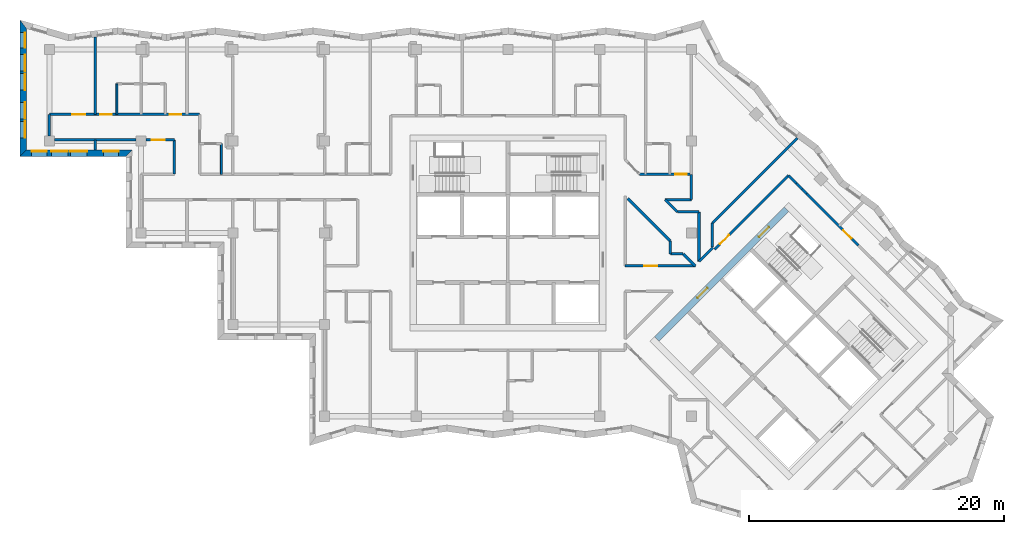
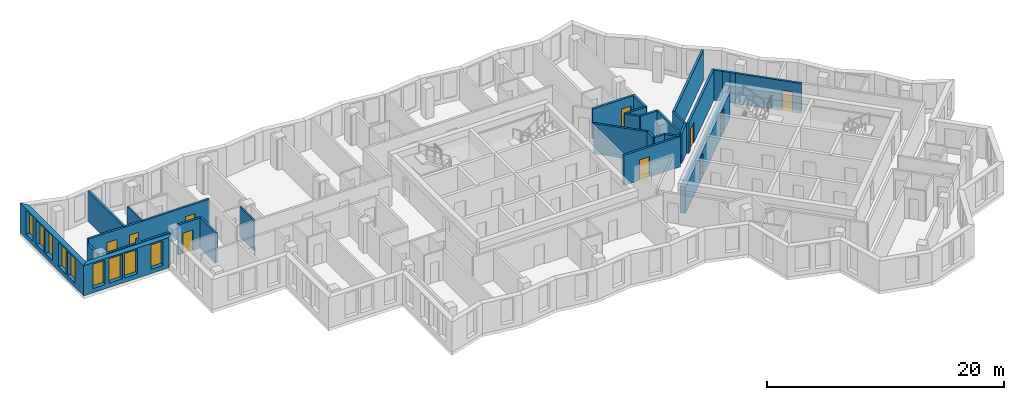
# One storey, part 5 of 12: 31 walls, 10 doors, 9 windows, 19 openings.
"""IFC4 building model written with IfcOpenShell, lengths in metres."""

from ifc_helpers import new_model, si_unit, direction, frame, frame_2d, origin, place, context, subcontext, project, spatial, polyline, rectangle, outline, extrude, material, layer, layer_set, type_object, element, fill, save


model = new_model("IFC4")

# Units and contexts
model_context = context("Model", 3, precision=1e-05, world=origin(), true_north=direction((0.0, 1.0)))
body_context = subcontext(model_context, "Body", "Model", "MODEL_VIEW")
ifc_project = project(units=[si_unit("LENGTHUNIT", "METRE"), si_unit("AREAUNIT", "SQUARE_METRE"), si_unit("VOLUMEUNIT", "CUBIC_METRE"), si_unit("PLANEANGLEUNIT", "RADIAN"), si_unit("MASSUNIT", "GRAM", prefix="KILO")], contexts=[model_context])

# Site, building, storey
site_placement = place(None, origin())
site = spatial("IfcSite", under=ifc_project, at=site_placement, CompositionType="ELEMENT")
building_placement = place(site_placement, origin())
building = spatial("IfcBuilding", under=site, at=building_placement, Name="Windrow Commons", CompositionType="ELEMENT")
storey_placement = place(building_placement, frame((0.0, 0.0, 213.4)))
storey = spatial("IfcBuildingStorey", under=building, at=storey_placement, Name="L58", CompositionType="ELEMENT", Elevation=213.4)

# Wall, openings, windows
ifc_material_1 = material(Name="Brick masonry, red clay brick", Category="masonry")
ifc_layer_1 = layer(ifc_material_1, 0.5)
ifc_layer_set_1 = layer_set([ifc_layer_1], Name="Brick facade wall 500")
wall_type_1 = type_object("IfcWallType", Name="Brick facade wall 500", PredefinedType="SOLIDWALL", material=ifc_layer_set_1)
wall_1_placement = place(storey_placement, frame((26.738, 73.9792, 0.0), z_axis=(0.0, 0.0, 1.0), x_axis=(0.0, -1.0, 0.0)))
wall_1 = element("IfcWall", 1, at=wall_1_placement, inside=storey, type_object=wall_type_1, Name="Brick facade wall L58 31", PredefinedType="SOLIDWALL", context=body_context, shape_type="SweptSolid", body=[
    extrude(outline(polyline([(-0.3328, -0.25), (10.3792, -0.25), (9.8792, 0.25), (0.3328, 0.25), (-0.3328, -0.25)])), origin(), (0.0, 0.0, 1.0), 3.1),
])
opening_1_placement = place(wall_1_placement, frame((2.3792, 0.0, 0.45)))
opening_1 = element("IfcOpeningElement", 2, at=opening_1_placement, cuts=wall_1, Name="Opening W1Q", PredefinedType="OPENING", context=body_context, shape_type="SweptSolid", body=[
    extrude(rectangle(XDim=1.3, YDim=2.5, at=frame_2d((0.65, 1.25))), frame((0.0, 0.26, 0.0), z_axis=(0.0, -1.0, 0.0), x_axis=(1.0, 0.0, 0.0)), (0.0, 0.0, 1.0), 0.52),
])
opening_2_placement = place(wall_1_placement, frame((3.8792, 0.0, 0.45)))
opening_2 = element("IfcOpeningElement", 3, at=opening_2_placement, cuts=wall_1, Name="Opening W1Q", PredefinedType="OPENING", context=body_context, shape_type="SweptSolid", body=[
    extrude(rectangle(XDim=1.3, YDim=2.5, at=frame_2d((0.65, 1.25))), frame((0.0, 0.26, 0.0), z_axis=(0.0, -1.0, 0.0), x_axis=(1.0, 0.0, 0.0)), (0.0, 0.0, 1.0), 0.52),
])
opening_3_placement = place(wall_1_placement, frame((6.1292, 0.0, 0.45)))
opening_3 = element("IfcOpeningElement", 4, at=opening_3_placement, cuts=wall_1, Name="Opening W1Q", PredefinedType="OPENING", context=body_context, shape_type="SweptSolid", body=[
    extrude(rectangle(XDim=1.3, YDim=2.5, at=frame_2d((0.65, 1.25))), frame((0.0, 0.26, 0.0), z_axis=(0.0, -1.0, 0.0), x_axis=(1.0, 0.0, 0.0)), (0.0, 0.0, 1.0), 0.52),
])
opening_4_placement = place(wall_1_placement, frame((7.6292, 0.0, 0.45)))
opening_4 = element("IfcOpeningElement", 5, at=opening_4_placement, cuts=wall_1, Name="Opening W1Q", PredefinedType="OPENING", context=body_context, shape_type="SweptSolid", body=[
    extrude(rectangle(XDim=1.3, YDim=2.5, at=frame_2d((0.65, 1.25))), frame((0.0, 0.26, 0.0), z_axis=(0.0, -1.0, 0.0), x_axis=(1.0, 0.0, 0.0)), (0.0, 0.0, 1.0), 0.52),
])
opening_5_placement = place(wall_1_placement, frame((0.656, 0.0, 0.45)))
opening_5 = element("IfcOpeningElement", 6, at=opening_5_placement, cuts=wall_1, Name="Opening W7E", PredefinedType="OPENING", context=body_context, shape_type="SweptSolid", body=[
    extrude(rectangle(XDim=1.2, YDim=2.5, at=frame_2d((0.6, 1.25))), frame((0.0, 0.26, 0.0), z_axis=(0.0, -1.0, 0.0), x_axis=(1.0, 0.0, 0.0)), (0.0, 0.0, 1.0), 0.52),
])
ifc_material_2 = material(Name="Clear float glass in anodised aluminium frame", Category="aluminium")
window_type_1 = type_object("IfcWindowType", Name="Window W1Q pair 1300x2500", PartitioningType="SINGLE_PANEL", PredefinedType="WINDOW", material=ifc_material_2)
window_1_placement = place(opening_1_placement, origin())
window_1 = element("IfcWindow", 7, at=window_1_placement, inside=storey, type_object=window_type_1, Name="Window L58 31.1A", OverallHeight=2.5, OverallWidth=1.3, PartitioningType="SINGLE_PANEL", PredefinedType="WINDOW", context=body_context, shape_type="SweptSolid", body=[
    extrude(rectangle(XDim=1.3, YDim=2.5, at=frame_2d((0.65, 1.25))), frame((0.0, 0.18, 0.0), z_axis=(0.0, -1.0, 0.0), x_axis=(1.0, 0.0, 0.0)), (0.0, 0.0, 1.0), 0.06),
])
fill(opening_1, window_1)
window_2_placement = place(opening_2_placement, origin())
window_2 = element("IfcWindow", 8, at=window_2_placement, inside=storey, type_object=window_type_1, Name="Window L58 31.1B", OverallHeight=2.5, OverallWidth=1.3, PartitioningType="SINGLE_PANEL", PredefinedType="WINDOW", context=body_context, shape_type="SweptSolid", body=[
    extrude(rectangle(XDim=1.3, YDim=2.5, at=frame_2d((0.65, 1.25))), frame((0.0, 0.18, 0.0), z_axis=(0.0, -1.0, 0.0), x_axis=(1.0, 0.0, 0.0)), (0.0, 0.0, 1.0), 0.06),
])
fill(opening_2, window_2)
window_3_placement = place(opening_3_placement, origin())
window_3 = element("IfcWindow", 9, at=window_3_placement, inside=storey, type_object=window_type_1, Name="Window L58 31.2A", OverallHeight=2.5, OverallWidth=1.3, PartitioningType="SINGLE_PANEL", PredefinedType="WINDOW", context=body_context, shape_type="SweptSolid", body=[
    extrude(rectangle(XDim=1.3, YDim=2.5, at=frame_2d((0.65, 1.25))), frame((0.0, 0.18, 0.0), z_axis=(0.0, -1.0, 0.0), x_axis=(1.0, 0.0, 0.0)), (0.0, 0.0, 1.0), 0.06),
])
fill(opening_3, window_3)
window_4_placement = place(opening_4_placement, origin())
window_4 = element("IfcWindow", 10, at=window_4_placement, inside=storey, type_object=window_type_1, Name="Window L58 31.2B", OverallHeight=2.5, OverallWidth=1.3, PartitioningType="SINGLE_PANEL", PredefinedType="WINDOW", context=body_context, shape_type="SweptSolid", body=[
    extrude(rectangle(XDim=1.3, YDim=2.5, at=frame_2d((0.65, 1.25))), frame((0.0, 0.18, 0.0), z_axis=(0.0, -1.0, 0.0), x_axis=(1.0, 0.0, 0.0)), (0.0, 0.0, 1.0), 0.06),
])
fill(opening_4, window_4)
ifc_material_3 = material(Name="Clear float glass in anodised aluminium frame", Category="aluminium")
window_type_2 = type_object("IfcWindowType", Name="Window W7 notch 1200x2500", PartitioningType="SINGLE_PANEL", PredefinedType="WINDOW", material=ifc_material_3)
window_5_placement = place(opening_5_placement, origin())
window_5 = element("IfcWindow", 11, at=window_5_placement, inside=storey, type_object=window_type_2, Name="Window L58 31.3", OverallHeight=2.5, OverallWidth=1.2, PartitioningType="SINGLE_PANEL", PredefinedType="WINDOW", context=body_context, shape_type="SweptSolid", body=[
    extrude(rectangle(XDim=1.2, YDim=2.5, at=frame_2d((0.6, 1.25))), frame((0.0, 0.18, 0.0), z_axis=(0.0, -1.0, 0.0), x_axis=(1.0, 0.0, 0.0)), (0.0, 0.0, 1.0), 0.06),
])
fill(opening_5, window_5)

wall_2_placement = place(storey_placement, frame((26.738, 63.85, 0.0), z_axis=(0.0, 0.0, 1.0), x_axis=(1.0, 0.0, 0.0)))
wall_2 = element("IfcWall", 12, at=wall_2_placement, inside=storey, type_object=wall_type_1, Name="Brick facade wall L58 32", PredefinedType="SOLIDWALL", context=body_context, shape_type="SweptSolid", body=[
    extrude(outline(polyline([(-0.25, -0.25), (8.062, -0.25), (8.562, 0.25), (0.25, 0.25), (-0.25, -0.25)])), origin(), (0.0, 0.0, 1.0), 3.1),
])
opening_6_placement = place(wall_2_placement, frame((2.212, 0.0, 0.45)))
opening_6 = element("IfcOpeningElement", 13, at=opening_6_placement, cuts=wall_2, Name="Opening W1Q", PredefinedType="OPENING", context=body_context, shape_type="SweptSolid", body=[
    extrude(rectangle(XDim=1.3, YDim=2.5, at=frame_2d((0.65, 1.25))), frame((0.0, 0.26, 0.0), z_axis=(0.0, -1.0, 0.0), x_axis=(1.0, 0.0, 0.0)), (0.0, 0.0, 1.0), 0.52),
])
opening_7_placement = place(wall_2_placement, frame((3.712, 0.0, 0.45)))
opening_7 = element("IfcOpeningElement", 14, at=opening_7_placement, cuts=wall_2, Name="Opening W1Q", PredefinedType="OPENING", context=body_context, shape_type="SweptSolid", body=[
    extrude(rectangle(XDim=1.3, YDim=2.5, at=frame_2d((0.65, 1.25))), frame((0.0, 0.26, 0.0), z_axis=(0.0, -1.0, 0.0), x_axis=(1.0, 0.0, 0.0)), (0.0, 0.0, 1.0), 0.52),
])
opening_8_placement = place(wall_2_placement, frame((0.656, 0.0, 0.45)))
opening_8 = element("IfcOpeningElement", 15, at=opening_8_placement, cuts=wall_2, Name="Opening W7E", PredefinedType="OPENING", context=body_context, shape_type="SweptSolid", body=[
    extrude(rectangle(XDim=1.2, YDim=2.5, at=frame_2d((0.6, 1.25))), frame((0.0, 0.26, 0.0), z_axis=(0.0, -1.0, 0.0), x_axis=(1.0, 0.0, 0.0)), (0.0, 0.0, 1.0), 0.52),
])
opening_9_placement = place(wall_2_placement, frame((6.287, 0.0, 0.45)))
opening_9 = element("IfcOpeningElement", 16, at=opening_9_placement, cuts=wall_2, Name="Opening W7E", PredefinedType="OPENING", context=body_context, shape_type="SweptSolid", body=[
    extrude(rectangle(XDim=1.2, YDim=2.5, at=frame_2d((0.6, 1.25))), frame((0.0, 0.26, 0.0), z_axis=(0.0, -1.0, 0.0), x_axis=(1.0, 0.0, 0.0)), (0.0, 0.0, 1.0), 0.52),
])
window_6_placement = place(opening_6_placement, origin())
window_6 = element("IfcWindow", 17, at=window_6_placement, inside=storey, type_object=window_type_1, Name="Window L58 32.1A", OverallHeight=2.5, OverallWidth=1.3, PartitioningType="SINGLE_PANEL", PredefinedType="WINDOW", context=body_context, shape_type="SweptSolid", body=[
    extrude(rectangle(XDim=1.3, YDim=2.5, at=frame_2d((0.65, 1.25))), frame((0.0, 0.18, 0.0), z_axis=(0.0, -1.0, 0.0), x_axis=(1.0, 0.0, 0.0)), (0.0, 0.0, 1.0), 0.06),
])
fill(opening_6, window_6)
window_7_placement = place(opening_7_placement, origin())
window_7 = element("IfcWindow", 18, at=window_7_placement, inside=storey, type_object=window_type_1, Name="Window L58 32.1B", OverallHeight=2.5, OverallWidth=1.3, PartitioningType="SINGLE_PANEL", PredefinedType="WINDOW", context=body_context, shape_type="SweptSolid", body=[
    extrude(rectangle(XDim=1.3, YDim=2.5, at=frame_2d((0.65, 1.25))), frame((0.0, 0.18, 0.0), z_axis=(0.0, -1.0, 0.0), x_axis=(1.0, 0.0, 0.0)), (0.0, 0.0, 1.0), 0.06),
])
fill(opening_7, window_7)
window_8_placement = place(opening_8_placement, origin())
window_8 = element("IfcWindow", 19, at=window_8_placement, inside=storey, type_object=window_type_2, Name="Window L58 32.2", OverallHeight=2.5, OverallWidth=1.2, PartitioningType="SINGLE_PANEL", PredefinedType="WINDOW", context=body_context, shape_type="SweptSolid", body=[
    extrude(rectangle(XDim=1.2, YDim=2.5, at=frame_2d((0.6, 1.25))), frame((0.0, 0.18, 0.0), z_axis=(0.0, -1.0, 0.0), x_axis=(1.0, 0.0, 0.0)), (0.0, 0.0, 1.0), 0.06),
])
fill(opening_8, window_8)
window_9_placement = place(opening_9_placement, origin())
window_9 = element("IfcWindow", 20, at=window_9_placement, inside=storey, type_object=window_type_2, Name="Window L58 32.3", OverallHeight=2.5, OverallWidth=1.2, PartitioningType="SINGLE_PANEL", PredefinedType="WINDOW", context=body_context, shape_type="SweptSolid", body=[
    extrude(rectangle(XDim=1.2, YDim=2.5, at=frame_2d((0.6, 1.25))), frame((0.0, 0.18, 0.0), z_axis=(0.0, -1.0, 0.0), x_axis=(1.0, 0.0, 0.0)), (0.0, 0.0, 1.0), 0.06),
])
fill(opening_9, window_9)

# Wall, openings, doors
ifc_material_4 = material(Name="Blockwork partition", Category="masonry")
ifc_layer_2 = layer(ifc_material_4, 0.2)
ifc_layer_set_2 = layer_set([ifc_layer_2], Name="IW-CORRIDOR-200")
wall_type_2 = type_object("IfcWallType", Name="IW-CORRIDOR-200", PredefinedType="PARTITIONING", material=ifc_layer_set_2)
wall_3_placement = place(storey_placement, frame((28.802, 66.9, 0.0), z_axis=(0.0, 0.0, 1.0), x_axis=(1.0, 0.0, 0.0)))
wall_3 = element("IfcWall", 21, at=wall_3_placement, inside=storey, type_object=wall_type_2, Name="W-L58-W004", PredefinedType="PARTITIONING", context=body_context, shape_type="SweptSolid", body=[
    extrude(rectangle(XDim=11.798, YDim=0.2, at=frame_2d((5.899, 0.0))), origin(), (0.0, 0.0, 1.0), 3.1),
])
opening_10_placement = place(wall_3_placement, frame((1.8052, 0.0, 0.0)))
opening_10 = element("IfcOpeningElement", 22, at=opening_10_placement, cuts=wall_3, Name="Opening D310F", PredefinedType="OPENING", context=body_context, shape_type="SweptSolid", body=[
    extrude(rectangle(XDim=1.0, YDim=2.1, at=frame_2d((0.5, 1.05))), frame((0.0, 0.11, 0.0), z_axis=(0.0, -1.0, 0.0), x_axis=(1.0, 0.0, 0.0)), (0.0, 0.0, 1.0), 0.22),
])
opening_11_placement = place(wall_3_placement, frame((3.998, 0.0, 0.0)))
opening_11 = element("IfcOpeningElement", 23, at=opening_11_placement, cuts=wall_3, Name="Opening D109S", PredefinedType="OPENING", context=body_context, shape_type="SweptSolid", body=[
    extrude(rectangle(XDim=0.9, YDim=2.1, at=frame_2d((0.45, 1.05))), frame((0.0, 0.11, 0.0), z_axis=(0.0, -1.0, 0.0), x_axis=(1.0, 0.0, 0.0)), (0.0, 0.0, 1.0), 0.22),
])
opening_12_placement = place(wall_3_placement, frame((9.448, 0.0, 0.0)))
opening_12 = element("IfcOpeningElement", 24, at=opening_12_placement, cuts=wall_3, Name="Opening D109S", PredefinedType="OPENING", context=body_context, shape_type="SweptSolid", body=[
    extrude(rectangle(XDim=0.9, YDim=2.1, at=frame_2d((0.45, 1.05))), frame((0.0, 0.11, 0.0), z_axis=(0.0, -1.0, 0.0), x_axis=(1.0, 0.0, 0.0)), (0.0, 0.0, 1.0), 0.22),
])
ifc_material_5 = material(Name="Timber door leaf", Category="wood")
door_type_1 = type_object("IfcDoorType", Name="DT-AMENITY-1000", OperationType="SINGLE_SWING_LEFT", PredefinedType="DOOR", material=ifc_material_5)
door_1_placement = place(opening_10_placement, origin())
door_1 = element("IfcDoor", 25, at=door_1_placement, inside=storey, type_object=door_type_1, Name="D-L58-D001", OperationType="SINGLE_SWING_RIGHT", OverallHeight=2.1, OverallWidth=1.0, PredefinedType="DOOR", context=body_context, shape_type="SweptSolid", body=[
    extrude(rectangle(XDim=1.0, YDim=2.1, at=frame_2d((0.5, 1.05))), frame((0.0, 0.025, 0.0), z_axis=(0.0, -1.0, 0.0), x_axis=(1.0, 0.0, 0.0)), (0.0, 0.0, 1.0), 0.05),
])
fill(opening_10, door_1)
ifc_material_6 = material(Name="Timber door leaf", Category="wood")
door_type_2 = type_object("IfcDoorType", Name="DT-BEDROOM-900", OperationType="SINGLE_SWING_LEFT", PredefinedType="DOOR", material=ifc_material_6)
door_2_placement = place(opening_11_placement, origin())
door_2 = element("IfcDoor", 26, at=door_2_placement, inside=storey, type_object=door_type_2, Name="D-L58-D003", OperationType="SINGLE_SWING_LEFT", OverallHeight=2.1, OverallWidth=0.9, PredefinedType="DOOR", context=body_context, shape_type="SweptSolid", body=[
    extrude(rectangle(XDim=0.9, YDim=2.1, at=frame_2d((0.45, 1.05))), frame((0.0, 0.025, 0.0), z_axis=(0.0, -1.0, 0.0), x_axis=(1.0, 0.0, 0.0)), (0.0, 0.0, 1.0), 0.05),
])
fill(opening_11, door_2)
door_3_placement = place(opening_12_placement, origin())
door_3 = element("IfcDoor", 27, at=door_3_placement, inside=storey, type_object=door_type_2, Name="D-L58-D005", OperationType="SINGLE_SWING_RIGHT", OverallHeight=2.1, OverallWidth=0.9, PredefinedType="DOOR", context=body_context, shape_type="SweptSolid", body=[
    extrude(rectangle(XDim=0.9, YDim=2.1, at=frame_2d((0.45, 1.05))), frame((0.0, 0.025, 0.0), z_axis=(0.0, -1.0, 0.0), x_axis=(1.0, 0.0, 0.0)), (0.0, 0.0, 1.0), 0.05),
])
fill(opening_12, door_3)

# Wall, opening, door
wall_4_placement = place(storey_placement, frame((81.0373, 56.3027, 0.0), z_axis=(0.0, 0.0, 1.0), x_axis=(0.7071067812, 0.7071067812, 0.0)))
wall_4 = element("IfcWall", 28, at=wall_4_placement, inside=storey, type_object=wall_type_2, Name="W-L58-W011", PredefinedType="PARTITIONING", context=body_context, shape_type="SweptSolid", body=[
    extrude(rectangle(XDim=8.1996, YDim=0.2, at=frame_2d((4.0998, 0.0))), origin(), (0.0, 0.0, 1.0), 3.1),
])
opening_13_placement = place(wall_4_placement, frame((0.5924, 0.0, 0.0)))
opening_13 = element("IfcOpeningElement", 29, at=opening_13_placement, cuts=wall_4, Name="Opening D310F", PredefinedType="OPENING", context=body_context, shape_type="SweptSolid", body=[
    extrude(rectangle(XDim=1.0, YDim=2.1, at=frame_2d((0.5, 1.05))), frame((0.0, 0.11, 0.0), z_axis=(0.0, -1.0, 0.0), x_axis=(1.0, 0.0, 0.0)), (0.0, 0.0, 1.0), 0.22),
])
door_4_placement = place(opening_13_placement, origin())
door_4 = element("IfcDoor", 30, at=door_4_placement, inside=storey, type_object=door_type_1, Name="D-L58-D035", OperationType="SINGLE_SWING_RIGHT", OverallHeight=2.1, OverallWidth=1.0, PredefinedType="DOOR", context=body_context, shape_type="SweptSolid", body=[
    extrude(rectangle(XDim=1.0, YDim=2.1, at=frame_2d((0.5, 1.05))), frame((0.0, 0.025, 0.0), z_axis=(0.0, -1.0, 0.0), x_axis=(1.0, 0.0, 0.0)), (0.0, 0.0, 1.0), 0.05),
])
fill(opening_13, door_4)

# Wall
wall_5_placement = place(storey_placement, frame((29.2, 64.9, 0.0), z_axis=(0.0, 0.0, 1.0), x_axis=(1.0, 0.0, 0.0)))
element("IfcWall", 31, at=wall_5_placement, inside=storey, type_object=wall_type_2, Name="W-L58-W017", PredefinedType="PARTITIONING", context=body_context, shape_type="SweptSolid", body=[
    extrude(rectangle(XDim=6.4, YDim=0.2, at=frame_2d((3.2, 0.0))), origin(), (0.0, 0.0, 1.0), 2.6),
])

# Wall, opening, door
wall_6_placement = place(storey_placement, frame((88.2474, 60.6834, 0.0), z_axis=(0.0, 0.0, 1.0), x_axis=(0.7071067812, -0.7071067812, 0.0)))
wall_6 = element("IfcWall", 32, at=wall_6_placement, inside=storey, type_object=wall_type_2, Name="W-L58-W028", PredefinedType="PARTITIONING", context=body_context, shape_type="SweptSolid", body=[
    extrude(rectangle(XDim=5.7417, YDim=0.2, at=frame_2d((2.8708, 0.0))), origin(), (0.0, 0.0, 1.0), 3.1),
])
opening_14_placement = place(wall_6_placement, frame((4.0693, 0.0, 0.0)))
opening_14 = element("IfcOpeningElement", 33, at=opening_14_placement, cuts=wall_6, Name="Opening D109S", PredefinedType="OPENING", context=body_context, shape_type="SweptSolid", body=[
    extrude(rectangle(XDim=0.9, YDim=2.1, at=frame_2d((0.45, 1.05))), frame((0.0, 0.11, 0.0), z_axis=(0.0, -1.0, 0.0), x_axis=(1.0, 0.0, 0.0)), (0.0, 0.0, 1.0), 0.22),
])
door_5_placement = place(opening_14_placement, origin())
door_5 = element("IfcDoor", 34, at=door_5_placement, inside=storey, type_object=door_type_2, Name="D-L58-D037", OperationType="SINGLE_SWING_RIGHT", OverallHeight=2.1, OverallWidth=0.9, PredefinedType="DOOR", context=body_context, shape_type="SweptSolid", body=[
    extrude(rectangle(XDim=0.9, YDim=2.1, at=frame_2d((0.45, 1.05))), frame((0.0, 0.025, 0.0), z_axis=(0.0, -1.0, 0.0), x_axis=(1.0, 0.0, 0.0)), (0.0, 0.0, 1.0), 0.05),
])
fill(opening_14, door_5)

wall_7_placement = place(storey_placement, frame((74.002, 55.0, 0.0), z_axis=(0.0, 0.0, 1.0), x_axis=(1.0, 0.0, 0.0)))
wall_7 = element("IfcWall", 35, at=wall_7_placement, inside=storey, type_object=wall_type_2, Name="W-L58-W029", PredefinedType="PARTITIONING", context=body_context, shape_type="SweptSolid", body=[
    extrude(rectangle(XDim=5.508, YDim=0.2, at=frame_2d((2.754, 0.0))), origin(), (0.0, 0.0, 1.0), 3.1),
])
opening_15_placement = place(wall_7_placement, frame((1.51, 0.0, 0.0)))
opening_15 = element("IfcOpeningElement", 36, at=opening_15_placement, cuts=wall_7, Name="Opening D410F", PredefinedType="OPENING", context=body_context, shape_type="SweptSolid", body=[
    extrude(rectangle(XDim=1.0, YDim=2.1, at=frame_2d((0.5, 1.05))), frame((0.0, 0.11, 0.0), z_axis=(0.0, -1.0, 0.0), x_axis=(1.0, 0.0, 0.0)), (0.0, 0.0, 1.0), 0.22),
])
ifc_material_7 = material(Name="Timber door leaf", Category="wood")
door_type_3 = type_object("IfcDoorType", Name="DT-SERVICE-1000", OperationType="SINGLE_SWING_LEFT", PredefinedType="DOOR", material=ifc_material_7)
door_6_placement = place(opening_15_placement, origin())
door_6 = element("IfcDoor", 37, at=door_6_placement, inside=storey, type_object=door_type_3, Name="D-L58-D034", OperationType="SINGLE_SWING_LEFT", OverallHeight=2.1, OverallWidth=1.0, PredefinedType="DOOR", context=body_context, shape_type="SweptSolid", body=[
    extrude(rectangle(XDim=1.0, YDim=2.1, at=frame_2d((0.5, 1.05))), frame((0.0, 0.025, 0.0), z_axis=(0.0, -1.0, 0.0), x_axis=(1.0, 0.0, 0.0)), (0.0, 0.0, 1.0), 0.05),
])
fill(opening_15, door_6)

# Wall
wall_8_placement = place(storey_placement, frame((74.1969, 60.3089, 0.0), z_axis=(0.0, 0.0, 1.0), x_axis=(0.7071067812, -0.7071067812, 0.0)))
element("IfcWall", 38, at=wall_8_placement, inside=storey, type_object=wall_type_2, Name="W-L58-W038", PredefinedType="PARTITIONING", context=body_context, shape_type="SweptSolid", body=[
    extrude(rectangle(XDim=4.7376, YDim=0.2, at=frame_2d((2.3688, 0.0))), origin(), (0.0, 0.0, 1.0), 3.1),
])

# Wall, opening, door
wall_9_placement = place(storey_placement, frame((75.142, 62.2, 0.0), z_axis=(0.0, 0.0, 1.0), x_axis=(1.0, 0.0, 0.0)))
wall_9 = element("IfcWall", 39, at=wall_9_placement, inside=storey, type_object=wall_type_2, Name="W-L58-W042", PredefinedType="PARTITIONING", context=body_context, shape_type="SweptSolid", body=[
    extrude(rectangle(XDim=4.058, YDim=0.2, at=frame_2d((2.029, 0.0))), origin(), (0.0, 0.0, 1.0), 3.1),
])
opening_16_placement = place(wall_9_placement, frame((2.808, 0.0, 0.0)))
opening_16 = element("IfcOpeningElement", 40, at=opening_16_placement, cuts=wall_9, Name="Opening D109S", PredefinedType="OPENING", context=body_context, shape_type="SweptSolid", body=[
    extrude(rectangle(XDim=0.9, YDim=2.1, at=frame_2d((0.45, 1.05))), frame((0.0, 0.11, 0.0), z_axis=(0.0, -1.0, 0.0), x_axis=(1.0, 0.0, 0.0)), (0.0, 0.0, 1.0), 0.22),
])
door_7_placement = place(opening_16_placement, origin())
door_7 = element("IfcDoor", 41, at=door_7_placement, inside=storey, type_object=door_type_2, Name="D-L58-D023", OperationType="SINGLE_SWING_LEFT", OverallHeight=2.1, OverallWidth=0.9, PredefinedType="DOOR", context=body_context, shape_type="SweptSolid", body=[
    extrude(rectangle(XDim=0.9, YDim=2.1, at=frame_2d((0.45, 1.05))), frame((0.0, 0.025, 0.0), z_axis=(0.0, -1.0, 0.0), x_axis=(1.0, 0.0, 0.0)), (0.0, 0.0, 1.0), 0.05),
])
fill(opening_16, door_7)

# Walls
wall_10_placement = place(storey_placement, frame((79.8, 55.35, 0.0), z_axis=(0.0, 0.0, 1.0), x_axis=(0.0, 1.0, 0.0)))
element("IfcWall", 42, at=wall_10_placement, inside=storey, type_object=wall_type_2, Name="W-L58-W044", PredefinedType="PARTITIONING", context=body_context, shape_type="SweptSolid", body=[
    extrude(rectangle(XDim=3.9, YDim=0.2, at=frame_2d((1.95, 0.0))), origin(), (0.0, 0.0, 1.0), 3.1),
])
wall_11_placement = place(storey_placement, frame((38.6, 62.202, 0.0), z_axis=(0.0, 0.0, 1.0), x_axis=(0.0, 1.0, 0.0)))
element("IfcWall", 43, at=wall_11_placement, inside=storey, type_object=wall_type_2, Name="W-L58-W054", PredefinedType="PARTITIONING", context=body_context, shape_type="SweptSolid", body=[
    extrude(rectangle(XDim=2.698, YDim=0.2, at=frame_2d((1.349, 0.0))), origin(), (0.0, 0.0, 1.0), 3.1),
])

# Wall, opening, door
wall_12_placement = place(storey_placement, frame((36.4, 64.9, 0.0), z_axis=(0.0, 0.0, 1.0), x_axis=(1.0, 0.0, 0.0)))
wall_12 = element("IfcWall", 44, at=wall_12_placement, inside=storey, type_object=wall_type_2, Name="W-L58-W088", PredefinedType="PARTITIONING", context=body_context, shape_type="SweptSolid", body=[
    extrude(rectangle(XDim=2.2, YDim=0.2, at=frame_2d((1.1, 0.0))), origin(), (0.0, 0.0, 1.0), 3.1),
])
opening_17_placement = place(wall_12_placement, frame((0.4338, 0.0, 0.0)))
opening_17 = element("IfcOpeningElement", 45, at=opening_17_placement, cuts=wall_12, Name="Opening D310F", PredefinedType="OPENING", context=body_context, shape_type="SweptSolid", body=[
    extrude(rectangle(XDim=1.0, YDim=2.1, at=frame_2d((0.5, 1.05))), frame((0.0, 0.11, 0.0), z_axis=(0.0, -1.0, 0.0), x_axis=(1.0, 0.0, 0.0)), (0.0, 0.0, 1.0), 0.22),
])
door_8_placement = place(opening_17_placement, origin())
door_8 = element("IfcDoor", 46, at=door_8_placement, inside=storey, type_object=door_type_1, Name="D-L58-D002", OperationType="SINGLE_SWING_RIGHT", OverallHeight=2.1, OverallWidth=1.0, PredefinedType="DOOR", context=body_context, shape_type="SweptSolid", body=[
    extrude(rectangle(XDim=1.0, YDim=2.1, at=frame_2d((0.5, 1.05))), frame((0.0, 0.025, 0.0), z_axis=(0.0, -1.0, 0.0), x_axis=(1.0, 0.0, 0.0)), (0.0, 0.0, 1.0), 0.05),
])
fill(opening_17, door_8)

# Walls
wall_13_placement = place(storey_placement, frame((77.144, 60.2, 0.0), z_axis=(0.0, 0.0, 1.0), x_axis=(1.0, 0.0, 0.0)))
element("IfcWall", 47, at=wall_13_placement, inside=storey, type_object=wall_type_2, Name="W-L58-W098", PredefinedType="PARTITIONING", context=body_context, shape_type="SweptSolid", body=[
    extrude(rectangle(XDim=2.056, YDim=0.2, at=frame_2d((1.028, 0.0))), origin(), (0.0, 0.0, 1.0), 3.1),
])
wall_14_placement = place(storey_placement, frame((79.2, 60.2, 0.0), z_axis=(0.0, 0.0, 1.0), x_axis=(0.0, 1.0, 0.0)))
element("IfcWall", 48, at=wall_14_placement, inside=storey, type_object=wall_type_2, Name="W-L58-W103", PredefinedType="PARTITIONING", context=body_context, shape_type="SweptSolid", body=[
    extrude(rectangle(XDim=2.0, YDim=0.2, at=frame_2d((1.0, 0.0))), origin(), (0.0, 0.0, 1.0), 3.1),
])
wall_15_placement = place(storey_placement, frame((78.092, 59.25, 0.0), z_axis=(0.0, 0.0, 1.0), x_axis=(1.0, 0.0, 0.0)))
element("IfcWall", 49, at=wall_15_placement, inside=storey, type_object=wall_type_2, Name="W-L58-W116", PredefinedType="PARTITIONING", context=body_context, shape_type="SweptSolid", body=[
    extrude(rectangle(XDim=1.708, YDim=0.2, at=frame_2d((0.854, 0.0))), origin(), (0.0, 0.0, 1.0), 3.1),
])
wall_16_placement = place(storey_placement, frame((28.8, 65.2, 0.0), z_axis=(0.0, 0.0, 1.0), x_axis=(0.0, 1.0, 0.0)))
element("IfcWall", 50, at=wall_16_placement, inside=storey, type_object=wall_type_2, Name="W-L58-W118", PredefinedType="PARTITIONING", context=body_context, shape_type="SweptSolid", body=[
    extrude(rectangle(XDim=1.698, YDim=0.2, at=frame_2d((0.849, 0.0))), origin(), (0.0, 0.0, 1.0), 2.6),
])
wall_17_placement = place(storey_placement, frame((79.8028, 55.3472, 0.0), z_axis=(0.0, 0.0, 1.0), x_axis=(0.706460727, 0.7077522457, 0.0)))
element("IfcWall", 51, at=wall_17_placement, inside=storey, type_object=wall_type_2, Name="W-L58-W120", PredefinedType="PARTITIONING", context=body_context, shape_type="SweptSolid", body=[
    extrude(rectangle(XDim=1.5486, YDim=0.2, at=frame_2d((0.7743, 0.0))), origin(), (0.0, 0.0, 1.0), 3.1),
])
for number, where, z_axis, x_axis, name in (
    (52, (78.5589, 55.9469, 0.0), (0.0, 0.0, 1.0), (0.7071067812, -0.7071067812, 0.0), "W-L58-W123"),
    (53, (77.1391, 60.1951, 0.0), (0.0, 0.0, 1.0), (0.7071067812, -0.7071067812, 0.0), "W-L58-W124"),
):
    element("IfcWall", number, at=place(storey_placement, frame(where, z_axis=z_axis, x_axis=x_axis)), inside=storey, type_object=wall_type_2, Name=name, PredefinedType="PARTITIONING", context=body_context, shape_type="SweptSolid", body=[
        extrude(rectangle(XDim=1.3407, YDim=0.2, at=frame_2d((0.6704, 0.0))), origin(), (0.0, 0.0, 1.0), 3.1),
    ])
for number, where, z_axis, x_axis, name in (
    (54, (77.55, 55.952, 0.0), (0.0, 0.0, 1.0), (0.0, 1.0, 0.0), "W-L58-W131"),
    (55, (77.552, 55.95, 0.0), (0.0, 0.0, 1.0), (1.0, 0.0, 0.0), "W-L58-W132"),
):
    element("IfcWall", number, at=place(storey_placement, frame(where, z_axis=z_axis, x_axis=x_axis)), inside=storey, type_object=wall_type_2, Name=name, PredefinedType="PARTITIONING", context=body_context, shape_type="SweptSolid", body=[
        extrude(rectangle(XDim=1.01, YDim=0.2, at=frame_2d((0.505, 0.0))), origin(), (0.0, 0.0, 1.0), 3.1),
    ])
wall_18_placement = place(storey_placement, frame((86.8353, 62.0973, 0.0), z_axis=(0.0, 0.0, 1.0), x_axis=(0.7059370453, -0.7082745852, 0.0)))
element("IfcWall", 56, at=wall_18_placement, inside=storey, type_object=wall_type_2, Name="W-L58-W135", PredefinedType="PARTITIONING", context=body_context, shape_type="SweptSolid", body=[
    extrude(rectangle(XDim=0.8556, YDim=0.2, at=frame_2d((0.4278, 0.0))), origin(), (0.0, 0.0, 1.0), 3.1),
])
wall_19_placement = place(storey_placement, frame((87.4398, 61.4918, 0.0), z_axis=(0.0, 0.0, 1.0), x_axis=(0.7086591505, -0.7055509963, 0.0)))
element("IfcWall", 57, at=wall_19_placement, inside=storey, type_object=wall_type_2, Name="W-L58-W138", PredefinedType="PARTITIONING", context=body_context, shape_type="SweptSolid", body=[
    extrude(rectangle(XDim=0.6435, YDim=0.2, at=frame_2d((0.3217, 0.0))), origin(), (0.0, 0.0, 1.0), 3.1),
])
wall_20_placement = place(storey_placement, frame((87.8991, 61.0411, 0.0), z_axis=(0.0, 0.0, 1.0), x_axis=(0.7051008166, -0.7091070712, 0.0)))
element("IfcWall", 58, at=wall_20_placement, inside=storey, type_object=wall_type_2, Name="W-L58-W154", PredefinedType="PARTITIONING", context=body_context, shape_type="SweptSolid", body=[
    extrude(rectangle(XDim=0.4992, YDim=0.2, at=frame_2d((0.2496, 0.0))), origin(), (0.0, 0.0, 1.0), 3.1),
])
ifc_material_8 = material(Name="Blockwork partition", Category="masonry")
ifc_layer_3 = layer(ifc_material_8, 0.15)
ifc_layer_set_3 = layer_set([ifc_layer_3], Name="IW-ENSUITE-150")
wall_type_3 = type_object("IfcWallType", Name="IW-ENSUITE-150", PredefinedType="PARTITIONING", material=ifc_layer_set_3)
for number, where, z_axis, x_axis, name in (
    (59, (34.1, 66.9, 0.0), (0.0, 0.0, 1.0), (0.0, 1.0, 0.0), "W-L58-W073"),
    (60, (42.3, 62.2, 0.0), (0.0, 0.0, 1.0), (0.0, 1.0, 0.0), "W-L58-W076"),
):
    element("IfcWall", number, at=place(storey_placement, frame(where, z_axis=z_axis, x_axis=x_axis)), inside=storey, type_object=wall_type_3, Name=name, PredefinedType="PARTITIONING", context=body_context, shape_type="SweptSolid", body=[
        extrude(rectangle(XDim=2.4, YDim=0.15, at=frame_2d((1.2, 0.0))), origin(), (0.0, 0.0, 1.0), 3.1),
    ])
ifc_material_9 = material(Name="Blockwork partition", Category="masonry")
ifc_layer_4 = layer(ifc_material_9, 0.2)
ifc_layer_set_4 = layer_set([ifc_layer_4], Name="IW-PARTY-200")
wall_type_4 = type_object("IfcWallType", Name="IW-PARTY-200", PredefinedType="PARTITIONING", material=ifc_layer_set_4)
wall_21_placement = place(storey_placement, frame((80.8489, 58.3771, 0.0), z_axis=(0.0, 0.0, 1.0), x_axis=(0.7071067812, 0.7071067812, 0.0)))
element("IfcWall", 61, at=wall_21_placement, inside=storey, type_object=wall_type_4, Name="W-L58-W006", PredefinedType="PARTITIONING", context=body_context, shape_type="SweptSolid", body=[
    extrude(rectangle(XDim=9.4296, YDim=0.2, at=frame_2d((4.7148, 0.0))), origin(), (0.0, 0.0, 1.0), 3.1),
])
wall_22_placement = place(storey_placement, frame((32.4, 66.9, 0.0), z_axis=(0.0, 0.0, 1.0), x_axis=(0.0, 1.0, 0.0)))
element("IfcWall", 62, at=wall_22_placement, inside=storey, type_object=wall_type_4, Name="W-L58-W023", PredefinedType="PARTITIONING", context=body_context, shape_type="SweptSolid", body=[
    extrude(rectangle(XDim=6.0732, YDim=0.2, at=frame_2d((3.0366, 0.0))), origin(), (0.0, 0.0, 1.0), 3.1),
])
wall_23_placement = place(storey_placement, frame((80.85, 56.49, 0.0), z_axis=(0.0, 0.0, 1.0), x_axis=(0.0, 1.0, 0.0)))
element("IfcWall", 63, at=wall_23_placement, inside=storey, type_object=wall_type_4, Name="W-L58-W115", PredefinedType="PARTITIONING", context=body_context, shape_type="SweptSolid", body=[
    extrude(rectangle(XDim=1.886, YDim=0.2, at=frame_2d((0.943, 0.0))), origin(), (0.0, 0.0, 1.0), 3.1),
])
wall_24_placement = place(storey_placement, frame((32.4, 64.1, 0.0), z_axis=(0.0, 0.0, 1.0), x_axis=(0.0, 1.0, 0.0)))
element("IfcWall", 64, at=wall_24_placement, inside=storey, type_object=wall_type_4, Name="W-L58-W136", PredefinedType="PARTITIONING", context=body_context, shape_type="SweptSolid", body=[
    extrude(rectangle(XDim=0.8, YDim=0.2, at=frame_2d((0.4, 0.0))), origin(), (0.0, 0.0, 1.0), 3.1),
])

# Wall, openings, doors
ifc_material_10 = material(Name="Concrete C40/50", Category="concrete")
ifc_layer_5 = layer(ifc_material_10, 0.5)
ifc_layer_set_5 = layer_set([ifc_layer_5], Name="RC CORE WALL 500 C40/50")
wall_type_5 = type_object("IfcWallType", Name="RC CORE WALL 500 C40/50", PredefinedType="SHEAR", material=ifc_layer_set_5)
wall_25_placement = place(storey_placement, frame((76.4776, 49.2665, -0.3), z_axis=(0.0, 0.0, 1.0), x_axis=(0.7071067812, 0.7071067812, 0.0)))
wall_25 = element("IfcWall", 65, at=wall_25_placement, inside=storey, type_object=wall_type_5, Name="Core B wall outer-W", PredefinedType="SHEAR", context=body_context, shape_type="SweptSolid", body=[
    extrude(rectangle(XDim=14.4001, YDim=0.5, at=frame_2d((7.2001, 0.0))), origin(), (0.0, 0.0, 1.0), 2.7),
])
opening_18_placement = place(wall_25_placement, frame((4.55, 0.0, 0.3)))
opening_18 = element("IfcOpeningElement", 66, at=opening_18_placement, cuts=wall_25, Name="Opening D6", PredefinedType="OPENING", context=body_context, shape_type="SweptSolid", body=[
    extrude(rectangle(XDim=1.1, YDim=2.1, at=frame_2d((0.55, 1.05))), frame((0.0, 0.26, 0.0), z_axis=(0.0, -1.0, 0.0), x_axis=(1.0, 0.0, 0.0)), (0.0, 0.0, 1.0), 0.52),
])
opening_19_placement = place(wall_25_placement, frame((11.35, 0.0, 0.3)))
opening_19 = element("IfcOpeningElement", 67, at=opening_19_placement, cuts=wall_25, Name="Opening D7", PredefinedType="OPENING", context=body_context, shape_type="SweptSolid", body=[
    extrude(rectangle(XDim=1.1, YDim=2.1, at=frame_2d((0.55, 1.05))), frame((0.0, 0.26, 0.0), z_axis=(0.0, -1.0, 0.0), x_axis=(1.0, 0.0, 0.0)), (0.0, 0.0, 1.0), 0.52),
])
ifc_material_11 = material(Name="Steel fire door leaf", Category="steel")
door_type_4 = type_object("IfcDoorType", Name="Core lobby door 1100", OperationType="SINGLE_SWING_LEFT", PredefinedType="DOOR", material=ifc_material_11)
door_9_placement = place(opening_18_placement, origin())
door_9 = element("IfcDoor", 68, at=door_9_placement, inside=storey, type_object=door_type_4, Name="Lift lobby door", OperationType="DOUBLE_DOOR_SINGLE_SWING", OverallHeight=2.1, OverallWidth=1.1, PredefinedType="DOOR", context=body_context, shape_type="SweptSolid", body=[
    extrude(rectangle(XDim=1.1, YDim=2.1, at=frame_2d((0.55, 1.05))), frame((0.0, 0.025, 0.0), z_axis=(0.0, -1.0, 0.0), x_axis=(1.0, 0.0, 0.0)), (0.0, 0.0, 1.0), 0.05),
])
fill(opening_18, door_9)
ifc_material_12 = material(Name="Steel fire door leaf", Category="steel")
door_type_5 = type_object("IfcDoorType", Name="Stair door 1100", OperationType="SINGLE_SWING_LEFT", PredefinedType="DOOR", material=ifc_material_12)
door_10_placement = place(opening_19_placement, origin())
door_10 = element("IfcDoor", 69, at=door_10_placement, inside=storey, type_object=door_type_5, Name="Stair door", OperationType="SINGLE_SWING_LEFT", OverallHeight=2.1, OverallWidth=1.1, PredefinedType="DOOR", context=body_context, shape_type="SweptSolid", body=[
    extrude(rectangle(XDim=1.1, YDim=2.1, at=frame_2d((0.55, 1.05))), frame((0.0, 0.025, 0.0), z_axis=(0.0, -1.0, 0.0), x_axis=(1.0, 0.0, 0.0)), (0.0, 0.0, 1.0), 0.05),
])
fill(opening_19, door_10)

save(model, "model.ifc")
